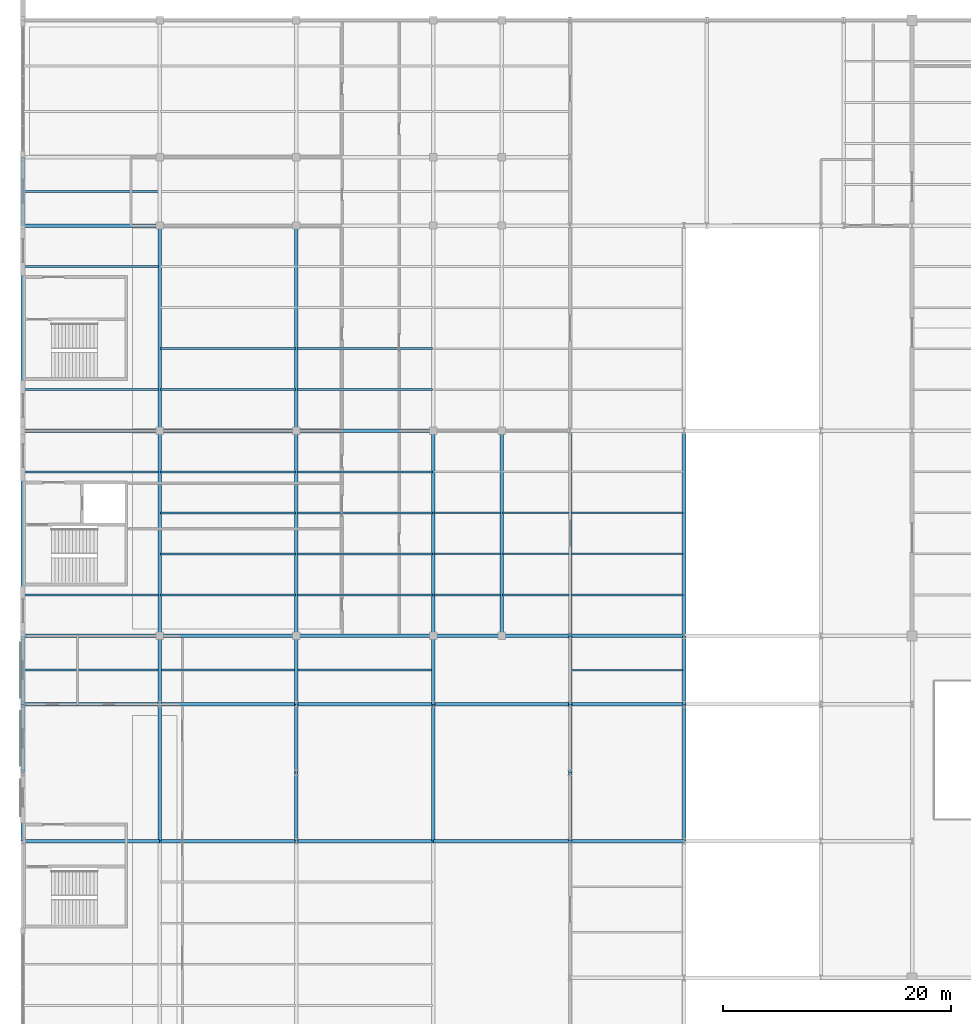
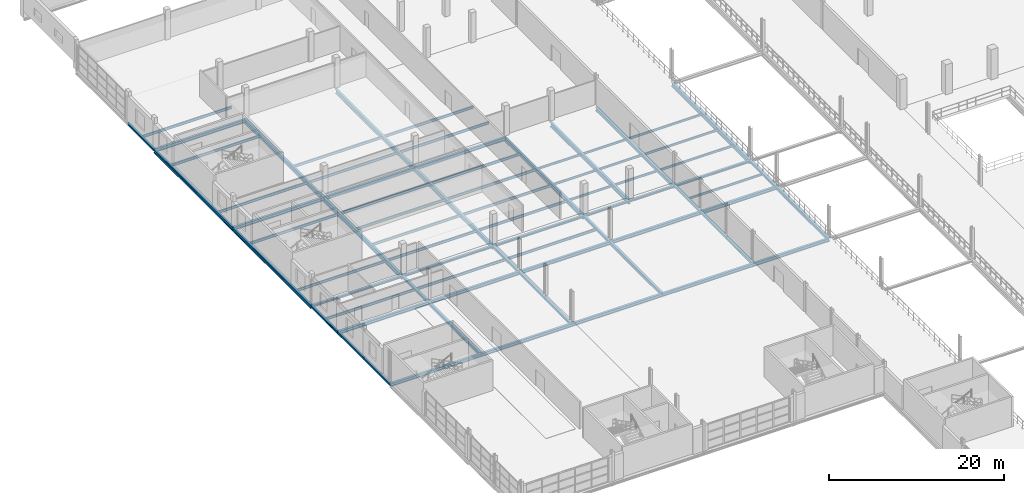
# One storey, part 53 of 158: 76 beams.
"""IFC4 building model written with IfcOpenShell, lengths in metres."""

from ifc_helpers import new_model, si_unit, direction, frame, origin, origin_2d, place, context, subcontext, project, spatial, i_section, extrude, material, material_profile, profile_set, type_object, element, save


model = new_model("IFC4")

# Units and contexts
model_context = context("Model", 3, precision=1e-05, world=origin(), true_north=direction((0.0, 1.0)))
body_context = subcontext(model_context, "Body", "Model", "MODEL_VIEW")
ifc_project = project(units=[si_unit("LENGTHUNIT", "METRE"), si_unit("AREAUNIT", "SQUARE_METRE"), si_unit("VOLUMEUNIT", "CUBIC_METRE"), si_unit("PLANEANGLEUNIT", "RADIAN"), si_unit("MASSUNIT", "GRAM", prefix="KILO")], contexts=[model_context])

# Site, building, storey
site_placement = place(None, origin())
site = spatial("IfcSite", under=ifc_project, at=site_placement, CompositionType="ELEMENT")
building_placement = place(site_placement, origin())
building = spatial("IfcBuilding", under=site, at=building_placement, Name="Zilviju Railside Exhibition Hall", CompositionType="ELEMENT")
storey_placement = place(building_placement, frame((0.0, 0.0, 4.199951171875)))
storey = spatial("IfcBuildingStorey", under=building, at=storey_placement, Name="L02", CompositionType="ELEMENT", Elevation=4.199951171875)

# Beams
ifc_material = material(Name="Steel S355J2", Category="steel")
ifc_material_profile_1 = material_profile(ifc_material, i_section(OverallWidth=0.300048828125, OverallDepth=0.2900390625, WebThickness=0.008544921875, FlangeThickness=0.013916015625, at=origin_2d()), Name="HEA 300")
ifc_profile_set_1 = profile_set([ifc_material_profile_1], Name="Steel S355J2")
beam_type_1 = type_object("IfcBeamType", Name="BM-HEA300", PredefinedType="SPANDREL", material=ifc_profile_set_1)
for number, where, z_axis, x_axis, name in (
    (1, (0.0, 84.0, -0.5048828125), (1.0, 0.0, 0.0), (0.0, 1.0, 0.0), "Primary Girder L02 Y=84.0 (0.0..12.0)"),
    (2, (12.0, 84.0, -0.5048828125), (1.0, 0.0, 0.0), (0.0, 1.0, 0.0), "Primary Girder L02 Y=84.0 (12.0..24.0)"),
    (3, (24.0, 84.0, -0.5048828125), (1.0, 0.0, 0.0), (0.0, 1.0, 0.0), "Primary Girder L02 Y=84.0 (24.0..36.0)"),
):
    element("IfcBeam", number, at=place(storey_placement, frame(where, z_axis=z_axis, x_axis=x_axis)), inside=storey, type_object=beam_type_1, Name=name, PredefinedType="SPANDREL", context=body_context, shape_type="SweptSolid", body=[
        extrude(i_section(OverallWidth=0.300048828125, OverallDepth=0.2900390625, WebThickness=0.008544921875, FlangeThickness=0.013916015625, at=origin_2d()), origin(), (0.0, 0.0, 1.0), 12.0),
    ])
for number, where, z_axis, x_axis, name in (
    (4, (36.0, 84.0, -0.5048828125), (1.0, 0.0, 0.0), (0.0, 1.0, 0.0), "Primary Girder L02 Y=84.0 (36.0..42.0)"),
    (5, (42.0, 84.0, -0.5048828125), (1.0, 0.0, 0.0), (0.0, 1.0, 0.0), "Primary Girder L02 Y=84.0 (42.0..48.0)"),
):
    element("IfcBeam", number, at=place(storey_placement, frame(where, z_axis=z_axis, x_axis=x_axis)), inside=storey, type_object=beam_type_1, Name=name, PredefinedType="SPANDREL", context=body_context, shape_type="SweptSolid", body=[
        extrude(i_section(OverallWidth=0.300048828125, OverallDepth=0.2900390625, WebThickness=0.008544921875, FlangeThickness=0.013916015625, at=origin_2d()), origin(), (0.0, 0.0, 1.0), 6.0),
    ])
beam_1_placement = place(storey_placement, frame((48.0, 84.0, -0.5048828125), z_axis=(1.0, 0.0, 0.0), x_axis=(0.0, 1.0, 0.0)))
element("IfcBeam", 6, at=beam_1_placement, inside=storey, type_object=beam_type_1, Name="Primary Girder L02 Y=84.0 (48.0..58.0)", PredefinedType="SPANDREL", context=body_context, shape_type="SweptSolid", body=[
    extrude(i_section(OverallWidth=0.300048828125, OverallDepth=0.2900390625, WebThickness=0.008544921875, FlangeThickness=0.013916015625, at=origin_2d()), origin(), (0.0, 0.0, 1.0), 10.0),
])
for number, where, z_axis, x_axis, name in (
    (7, (0.0, 66.0, -0.5048828125), (0.0, 1.0, 0.0), (-1.0, 0.0, 0.0), "Transverse Girder L02 X=0.0 (66.0..72.0)"),
    (8, (0.0, 72.0, -0.5048828125), (0.0, 1.0, 0.0), (-1.0, 0.0, 0.0), "Transverse Girder L02 X=0.0 (72.0..78.0)"),
    (9, (0.0, 78.0, -0.5048828125), (0.0, 1.0, 0.0), (-1.0, 0.0, 0.0), "Transverse Girder L02 X=0.0 (78.0..84.0)"),
    (10, (0.0, 120.0, -0.494873046875), (0.0, 1.0, 0.0), (-1.0, 0.0, 0.0), "Transverse Girder L02 X=0.0 (120.0..126.0)"),
    (11, (48.0, 66.0, -0.5048828125), (0.0, 1.0, 0.0), (-1.0, 0.0, 0.0), "Transverse Girder L02 X=48.0 (66.0..72.0)"),
    (12, (48.0, 72.0, -0.5048828125), (0.0, 1.0, 0.0), (-1.0, 0.0, 0.0), "Transverse Girder L02 X=48.0 (72.0..78.0)"),
    (13, (48.0, 78.0, -0.5048828125), (0.0, 1.0, 0.0), (-1.0, 0.0, 0.0), "Transverse Girder L02 X=48.0 (78.0..84.0)"),
):
    element("IfcBeam", number, at=place(storey_placement, frame(where, z_axis=z_axis, x_axis=x_axis)), inside=storey, type_object=beam_type_1, Name=name, PredefinedType="SPANDREL", context=body_context, shape_type="SweptSolid", body=[
        extrude(i_section(OverallWidth=0.300048828125, OverallDepth=0.2900390625, WebThickness=0.008544921875, FlangeThickness=0.013916015625, at=origin_2d()), origin(), (0.0, 0.0, 1.0), 6.0),
    ])
ifc_material_profile_2 = material_profile(ifc_material, i_section(OverallWidth=0.300048828125, OverallDepth=0.360107421875, WebThickness=0.012451171875, FlangeThickness=0.0224609375, at=origin_2d()), Name="HEB 360")
ifc_profile_set_2 = profile_set([ifc_material_profile_2], Name="Steel S355J2")
beam_type_2 = type_object("IfcBeamType", Name="BM-HEB360", PredefinedType="BEAM", material=ifc_profile_set_2)
for number, where, z_axis, x_axis, name in (
    (14, (12.0, 78.0, -0.5400390625), (0.0, 1.0, 0.0), (-1.0, 0.0, 0.0), "Transverse Girder L02 X=12.0 (78.0..84.0)"),
    (15, (24.0, 66.0, -0.5400390625), (0.0, 1.0, 0.0), (-1.0, 0.0, 0.0), "Transverse Girder L02 X=24.0 (66.0..72.0)"),
    (16, (24.0, 72.0, -0.5400390625), (0.0, 1.0, 0.0), (-1.0, 0.0, 0.0), "Transverse Girder L02 X=24.0 (72.0..78.0)"),
    (17, (24.0, 78.0, -0.5400390625), (0.0, 1.0, 0.0), (-1.0, 0.0, 0.0), "Transverse Girder L02 X=24.0 (78.0..84.0)"),
    (18, (36.0, 78.0, -0.5400390625), (0.0, 1.0, 0.0), (-1.0, 0.0, 0.0), "Transverse Girder L02 X=36.0 (78.0..84.0)"),
    (19, (58.0, 78.0, -0.530029296875), (0.0, 1.0, 0.0), (-1.0, 0.0, 0.0), "Transverse Girder L02 X=58.0 (78.0..84.0)"),
):
    element("IfcBeam", number, at=place(storey_placement, frame(where, z_axis=z_axis, x_axis=x_axis)), inside=storey, type_object=beam_type_2, Name=name, PredefinedType="BEAM", context=body_context, shape_type="SweptSolid", body=[
        extrude(i_section(OverallWidth=0.300048828125, OverallDepth=0.360107421875, WebThickness=0.012451171875, FlangeThickness=0.0224609375, at=origin_2d()), origin(), (0.0, 0.0, 1.0), 6.0),
    ])
ifc_material_profile_3 = material_profile(ifc_material, i_section(OverallWidth=0.300048828125, OverallDepth=0.449951171875, WebThickness=0.013916015625, FlangeThickness=0.02587890625, at=origin_2d()), Name="HEB 450")
ifc_profile_set_3 = profile_set([ifc_material_profile_3], Name="Steel S355J2")
beam_type_3 = type_object("IfcBeamType", Name="BM-HEB450", PredefinedType="BEAM", material=ifc_profile_set_3)
for number, where, z_axis, x_axis, name in (
    (20, (0.0, 66.0, -0.5849609375), (1.0, 0.0, 0.0), (0.0, 1.0, 0.0), "Primary Girder L02 Y=66.0 (0.0..12.0)"),
    (21, (12.0, 66.0, -0.5849609375), (1.0, 0.0, 0.0), (0.0, 1.0, 0.0), "Primary Girder L02 Y=66.0 (12.0..24.0)"),
    (22, (24.0, 66.0, -0.5849609375), (1.0, 0.0, 0.0), (0.0, 1.0, 0.0), "Primary Girder L02 Y=66.0 (24.0..36.0)"),
    (23, (36.0, 66.0, -0.5849609375), (1.0, 0.0, 0.0), (0.0, 1.0, 0.0), "Primary Girder L02 Y=66.0 (36.0..48.0)"),
):
    element("IfcBeam", number, at=place(storey_placement, frame(where, z_axis=z_axis, x_axis=x_axis)), inside=storey, type_object=beam_type_3, Name=name, PredefinedType="BEAM", context=body_context, shape_type="SweptSolid", body=[
        extrude(i_section(OverallWidth=0.300048828125, OverallDepth=0.449951171875, WebThickness=0.013916015625, FlangeThickness=0.02587890625, at=origin_2d()), origin(), (0.0, 0.0, 1.0), 12.0),
    ])
beam_2_placement = place(storey_placement, frame((48.0, 66.0, -0.5849609375), z_axis=(1.0, 0.0, 0.0), x_axis=(0.0, 1.0, 0.0)))
element("IfcBeam", 24, at=beam_2_placement, inside=storey, type_object=beam_type_3, Name="Primary Girder L02 Y=66.0 (48.0..58.0)", PredefinedType="BEAM", context=body_context, shape_type="SweptSolid", body=[
    extrude(i_section(OverallWidth=0.300048828125, OverallDepth=0.449951171875, WebThickness=0.013916015625, FlangeThickness=0.02587890625, at=origin_2d()), origin(), (0.0, 0.0, 1.0), 10.0),
])
for number, where, z_axis, x_axis, name in (
    (25, (0.0, 78.0, -0.5849609375), (1.0, 0.0, 0.0), (0.0, 1.0, 0.0), "Primary Girder L02 Y=78.0 (0.0..12.0)"),
    (26, (12.0, 78.0, -0.5849609375), (1.0, 0.0, 0.0), (0.0, 1.0, 0.0), "Primary Girder L02 Y=78.0 (12.0..24.0)"),
    (27, (24.0, 78.0, -0.5849609375), (1.0, 0.0, 0.0), (0.0, 1.0, 0.0), "Primary Girder L02 Y=78.0 (24.0..36.0)"),
    (28, (36.0, 78.0, -0.5849609375), (1.0, 0.0, 0.0), (0.0, 1.0, 0.0), "Primary Girder L02 Y=78.0 (36.0..48.0)"),
):
    element("IfcBeam", number, at=place(storey_placement, frame(where, z_axis=z_axis, x_axis=x_axis)), inside=storey, type_object=beam_type_3, Name=name, PredefinedType="BEAM", context=body_context, shape_type="SweptSolid", body=[
        extrude(i_section(OverallWidth=0.300048828125, OverallDepth=0.449951171875, WebThickness=0.013916015625, FlangeThickness=0.02587890625, at=origin_2d()), origin(), (0.0, 0.0, 1.0), 12.0),
    ])
beam_3_placement = place(storey_placement, frame((48.0, 78.0, -0.5849609375), z_axis=(1.0, 0.0, 0.0), x_axis=(0.0, 1.0, 0.0)))
element("IfcBeam", 29, at=beam_3_placement, inside=storey, type_object=beam_type_3, Name="Primary Girder L02 Y=78.0 (48.0..58.0)", PredefinedType="BEAM", context=body_context, shape_type="SweptSolid", body=[
    extrude(i_section(OverallWidth=0.300048828125, OverallDepth=0.449951171875, WebThickness=0.013916015625, FlangeThickness=0.02587890625, at=origin_2d()), origin(), (0.0, 0.0, 1.0), 10.0),
])
for number, where, z_axis, x_axis, name in (
    (30, (0.0, 102.0, -0.574951171875), (1.0, 0.0, 0.0), (0.0, 1.0, 0.0), "Primary Girder L02 Y=102.0 (0.0..12.0)"),
    (31, (12.0, 102.0, -0.574951171875), (1.0, 0.0, 0.0), (0.0, 1.0, 0.0), "Primary Girder L02 Y=102.0 (12.0..24.0)"),
    (32, (24.0, 102.0, -0.574951171875), (1.0, 0.0, 0.0), (0.0, 1.0, 0.0), "Primary Girder L02 Y=102.0 (24.0..36.0)"),
    (33, (0.0, 120.0, -0.574951171875), (1.0, 0.0, 0.0), (0.0, 1.0, 0.0), "Primary Girder L02 Y=120.0 (0.0..12.0)"),
    (34, (12.0, 66.0, -0.5849609375), (0.0, 1.0, 0.0), (-1.0, 0.0, 0.0), "Transverse Girder L02 X=12.0 (66.0..78.0)"),
    (35, (36.0, 66.0, -0.5849609375), (0.0, 1.0, 0.0), (-1.0, 0.0, 0.0), "Transverse Girder L02 X=36.0 (66.0..78.0)"),
    (36, (58.0, 66.0, -0.574951171875), (0.0, 1.0, 0.0), (-1.0, 0.0, 0.0), "Transverse Girder L02 X=58.0 (66.0..78.0)"),
):
    element("IfcBeam", number, at=place(storey_placement, frame(where, z_axis=z_axis, x_axis=x_axis)), inside=storey, type_object=beam_type_3, Name=name, PredefinedType="BEAM", context=body_context, shape_type="SweptSolid", body=[
        extrude(i_section(OverallWidth=0.300048828125, OverallDepth=0.449951171875, WebThickness=0.013916015625, FlangeThickness=0.02587890625, at=origin_2d()), origin(), (0.0, 0.0, 1.0), 12.0),
    ])
ifc_material_profile_4 = material_profile(ifc_material, i_section(OverallWidth=0.300048828125, OverallDepth=0.5, WebThickness=0.014404296875, FlangeThickness=0.028076171875, at=origin_2d()), Name="HEB 500")
ifc_profile_set_4 = profile_set([ifc_material_profile_4], Name="Steel S355J2")
beam_type_4 = type_object("IfcBeamType", Name="BM-HEB500", PredefinedType="BEAM", material=ifc_profile_set_4)
for number, where, z_axis, x_axis, name in (
    (37, (0.0, 84.0, -0.60986328125), (0.0, 1.0, 0.0), (-1.0, 0.0, 0.0), "Transverse Girder L02 X=0.0 (84.0..102.0)"),
    (38, (0.0, 102.0, -0.599853515625), (0.0, 1.0, 0.0), (-1.0, 0.0, 0.0), "Transverse Girder L02 X=0.0 (102.0..120.0)"),
    (39, (48.0, 84.0, -0.60986328125), (0.0, 1.0, 0.0), (-1.0, 0.0, 0.0), "Transverse Girder L02 X=48.0 (84.0..102.0)"),
):
    element("IfcBeam", number, at=place(storey_placement, frame(where, z_axis=z_axis, x_axis=x_axis)), inside=storey, type_object=beam_type_4, Name=name, PredefinedType="BEAM", context=body_context, shape_type="SweptSolid", body=[
        extrude(i_section(OverallWidth=0.300048828125, OverallDepth=0.5, WebThickness=0.014404296875, FlangeThickness=0.028076171875, at=origin_2d()), origin(), (0.0, 0.0, 1.0), 18.0),
    ])
ifc_material_profile_5 = material_profile(ifc_material, i_section(OverallWidth=0.300048828125, OverallDepth=0.60009765625, WebThickness=0.015380859375, FlangeThickness=0.030029296875, at=origin_2d()), Name="HEB 600")
ifc_profile_set_5 = profile_set([ifc_material_profile_5], Name="Steel S355J2")
beam_type_5 = type_object("IfcBeamType", Name="BM-HEB600", PredefinedType="BEAM", material=ifc_profile_set_5)
for number, where, z_axis, x_axis, name in (
    (40, (12.0, 84.0, -0.659912109375), (0.0, 1.0, 0.0), (-1.0, 0.0, 0.0), "Transverse Girder L02 X=12.0 (84.0..102.0)"),
    (41, (12.0, 102.0, -0.64990234375), (0.0, 1.0, 0.0), (-1.0, 0.0, 0.0), "Transverse Girder L02 X=12.0 (102.0..120.0)"),
    (42, (24.0, 84.0, -0.659912109375), (0.0, 1.0, 0.0), (-1.0, 0.0, 0.0), "Transverse Girder L02 X=24.0 (84.0..102.0)"),
    (43, (24.0, 102.0, -0.64990234375), (0.0, 1.0, 0.0), (-1.0, 0.0, 0.0), "Transverse Girder L02 X=24.0 (102.0..120.0)"),
    (44, (36.0, 84.0, -0.659912109375), (0.0, 1.0, 0.0), (-1.0, 0.0, 0.0), "Transverse Girder L02 X=36.0 (84.0..102.0)"),
    (45, (42.0, 84.0, -0.659912109375), (0.0, 1.0, 0.0), (-1.0, 0.0, 0.0), "Transverse Girder L02 X=42.0 (84.0..102.0)"),
    (46, (58.0, 84.0, -0.64990234375), (0.0, 1.0, 0.0), (-1.0, 0.0, 0.0), "Transverse Girder L02 X=58.0 (84.0..102.0)"),
):
    element("IfcBeam", number, at=place(storey_placement, frame(where, z_axis=z_axis, x_axis=x_axis)), inside=storey, type_object=beam_type_5, Name=name, PredefinedType="BEAM", context=body_context, shape_type="SweptSolid", body=[
        extrude(i_section(OverallWidth=0.300048828125, OverallDepth=0.60009765625, WebThickness=0.015380859375, FlangeThickness=0.030029296875, at=origin_2d()), origin(), (0.0, 0.0, 1.0), 18.0),
    ])
ifc_material_profile_6 = material_profile(ifc_material, i_section(OverallWidth=0.14990234375, OverallDepth=0.300048828125, WebThickness=0.007080078125, FlangeThickness=0.0107421875, at=origin_2d()), Name="IPE 300")
ifc_profile_set_6 = profile_set([ifc_material_profile_6], Name="Steel S355J2")
beam_type_6 = type_object("IfcBeamType", Name="BM-IPE300", PredefinedType="JOIST", material=ifc_profile_set_6)
for number, where, z_axis, x_axis, name in (
    (47, (36.080078125, 87.60009765625, -0.510009765625), (1.0, 0.0, 0.0), (0.0, 1.0, 0.0), "Composite Floor Joist L02 Y=87.60 (36.0..42.0)"),
    (48, (36.080078125, 91.199951171875, -0.510009765625), (1.0, 0.0, 0.0), (0.0, 1.0, 0.0), "Composite Floor Joist L02 Y=91.20 (36.0..42.0)"),
    (49, (36.080078125, 94.800048828125, -0.510009765625), (1.0, 0.0, 0.0), (0.0, 1.0, 0.0), "Composite Floor Joist L02 Y=94.80 (36.0..42.0)"),
    (50, (42.080078125, 87.60009765625, -0.510009765625), (1.0, 0.0, 0.0), (0.0, 1.0, 0.0), "Composite Floor Joist L02 Y=87.60 (42.0..48.0)"),
    (51, (42.080078125, 91.199951171875, -0.510009765625), (1.0, 0.0, 0.0), (0.0, 1.0, 0.0), "Composite Floor Joist L02 Y=91.20 (42.0..48.0)"),
    (52, (42.080078125, 94.800048828125, -0.510009765625), (1.0, 0.0, 0.0), (0.0, 1.0, 0.0), "Composite Floor Joist L02 Y=94.80 (42.0..48.0)"),
):
    element("IfcBeam", number, at=place(storey_placement, frame(where, z_axis=z_axis, x_axis=x_axis)), inside=storey, type_object=beam_type_6, Name=name, PredefinedType="JOIST", context=body_context, shape_type="SweptSolid", body=[
        extrude(i_section(OverallWidth=0.14990234375, OverallDepth=0.300048828125, WebThickness=0.007080078125, FlangeThickness=0.0107421875, at=origin_2d()), origin(), (0.0, 0.0, 1.0), 5.83984375),
    ])
for number, where, z_axis, x_axis, name in (
    (53, (48.080078125, 81.0, -0.510009765625), (1.0, 0.0, 0.0), (0.0, 1.0, 0.0), "Composite Floor Joist L02 Y=81.00 (48.0..58.0)"),
    (54, (48.080078125, 87.60009765625, -0.510009765625), (1.0, 0.0, 0.0), (0.0, 1.0, 0.0), "Composite Floor Joist L02 Y=87.60 (48.0..58.0)"),
    (55, (48.080078125, 91.199951171875, -0.510009765625), (1.0, 0.0, 0.0), (0.0, 1.0, 0.0), "Composite Floor Joist L02 Y=91.20 (48.0..58.0)"),
    (56, (48.080078125, 94.800048828125, -0.510009765625), (1.0, 0.0, 0.0), (0.0, 1.0, 0.0), "Composite Floor Joist L02 Y=94.80 (48.0..58.0)"),
):
    element("IfcBeam", number, at=place(storey_placement, frame(where, z_axis=z_axis, x_axis=x_axis)), inside=storey, type_object=beam_type_6, Name=name, PredefinedType="JOIST", context=body_context, shape_type="SweptSolid", body=[
        extrude(i_section(OverallWidth=0.14990234375, OverallDepth=0.300048828125, WebThickness=0.007080078125, FlangeThickness=0.0107421875, at=origin_2d()), origin(), (0.0, 0.0, 1.0), 9.83984375),
    ])
ifc_material_profile_7 = material_profile(ifc_material, i_section(OverallWidth=0.169921875, OverallDepth=0.360107421875, WebThickness=0.008056640625, FlangeThickness=0.0126953125, at=origin_2d()), Name="IPE 360")
ifc_profile_set_7 = profile_set([ifc_material_profile_7], Name="Steel S355J2")
beam_type_7 = type_object("IfcBeamType", Name="BM-IPE360", PredefinedType="JOIST", material=ifc_profile_set_7)
for number, where, z_axis, x_axis, name in (
    (57, (0.080078125, 81.0, -0.5400390625), (1.0, 0.0, 0.0), (0.0, 1.0, 0.0), "Composite Floor Joist L02 Y=81.00 (0.0..12.0)"),
    (58, (0.080078125, 87.60009765625, -0.5400390625), (1.0, 0.0, 0.0), (0.0, 1.0, 0.0), "Composite Floor Joist L02 Y=87.60 (0.0..12.0)"),
    (59, (0.080078125, 98.39990234375, -0.5400390625), (1.0, 0.0, 0.0), (0.0, 1.0, 0.0), "Composite Floor Joist L02 Y=98.40 (0.0..12.0)"),
    (60, (0.080078125, 105.60009765625, -0.530029296875), (1.0, 0.0, 0.0), (0.0, 1.0, 0.0), "Composite Floor Joist L02 Y=105.60 (0.0..12.0)"),
    (61, (0.080078125, 116.39990234375, -0.530029296875), (1.0, 0.0, 0.0), (0.0, 1.0, 0.0), "Composite Floor Joist L02 Y=116.40 (0.0..12.0)"),
    (62, (0.080078125, 123.0, -0.530029296875), (1.0, 0.0, 0.0), (0.0, 1.0, 0.0), "Composite Floor Joist L02 Y=123.00 (0.0..12.0)"),
    (63, (12.080078125, 81.0, -0.5400390625), (1.0, 0.0, 0.0), (0.0, 1.0, 0.0), "Composite Floor Joist L02 Y=81.00 (12.0..24.0)"),
    (64, (12.080078125, 87.60009765625, -0.5400390625), (1.0, 0.0, 0.0), (0.0, 1.0, 0.0), "Composite Floor Joist L02 Y=87.60 (12.0..24.0)"),
    (65, (12.080078125, 91.199951171875, -0.5400390625), (1.0, 0.0, 0.0), (0.0, 1.0, 0.0), "Composite Floor Joist L02 Y=91.20 (12.0..24.0)"),
    (66, (12.080078125, 94.800048828125, -0.5400390625), (1.0, 0.0, 0.0), (0.0, 1.0, 0.0), "Composite Floor Joist L02 Y=94.80 (12.0..24.0)"),
    (67, (12.080078125, 98.39990234375, -0.5400390625), (1.0, 0.0, 0.0), (0.0, 1.0, 0.0), "Composite Floor Joist L02 Y=98.40 (12.0..24.0)"),
    (68, (12.080078125, 105.60009765625, -0.530029296875), (1.0, 0.0, 0.0), (0.0, 1.0, 0.0), "Composite Floor Joist L02 Y=105.60 (12.0..24.0)"),
    (69, (12.080078125, 109.199951171875, -0.530029296875), (1.0, 0.0, 0.0), (0.0, 1.0, 0.0), "Composite Floor Joist L02 Y=109.20 (12.0..24.0)"),
    (70, (24.080078125, 81.0, -0.5400390625), (1.0, 0.0, 0.0), (0.0, 1.0, 0.0), "Composite Floor Joist L02 Y=81.00 (24.0..36.0)"),
    (71, (24.080078125, 87.60009765625, -0.5400390625), (1.0, 0.0, 0.0), (0.0, 1.0, 0.0), "Composite Floor Joist L02 Y=87.60 (24.0..36.0)"),
    (72, (24.080078125, 91.199951171875, -0.5400390625), (1.0, 0.0, 0.0), (0.0, 1.0, 0.0), "Composite Floor Joist L02 Y=91.20 (24.0..36.0)"),
    (73, (24.080078125, 94.800048828125, -0.5400390625), (1.0, 0.0, 0.0), (0.0, 1.0, 0.0), "Composite Floor Joist L02 Y=94.80 (24.0..36.0)"),
    (74, (24.080078125, 98.39990234375, -0.5400390625), (1.0, 0.0, 0.0), (0.0, 1.0, 0.0), "Composite Floor Joist L02 Y=98.40 (24.0..36.0)"),
    (75, (24.080078125, 105.60009765625, -0.530029296875), (1.0, 0.0, 0.0), (0.0, 1.0, 0.0), "Composite Floor Joist L02 Y=105.60 (24.0..36.0)"),
    (76, (24.080078125, 109.199951171875, -0.530029296875), (1.0, 0.0, 0.0), (0.0, 1.0, 0.0), "Composite Floor Joist L02 Y=109.20 (24.0..36.0)"),
):
    element("IfcBeam", number, at=place(storey_placement, frame(where, z_axis=z_axis, x_axis=x_axis)), inside=storey, type_object=beam_type_7, Name=name, PredefinedType="JOIST", context=body_context, shape_type="SweptSolid", body=[
        extrude(i_section(OverallWidth=0.169921875, OverallDepth=0.360107421875, WebThickness=0.008056640625, FlangeThickness=0.0126953125, at=origin_2d()), origin(), (0.0, 0.0, 1.0), 11.83984375),
    ])

save(model, "model.ifc")
